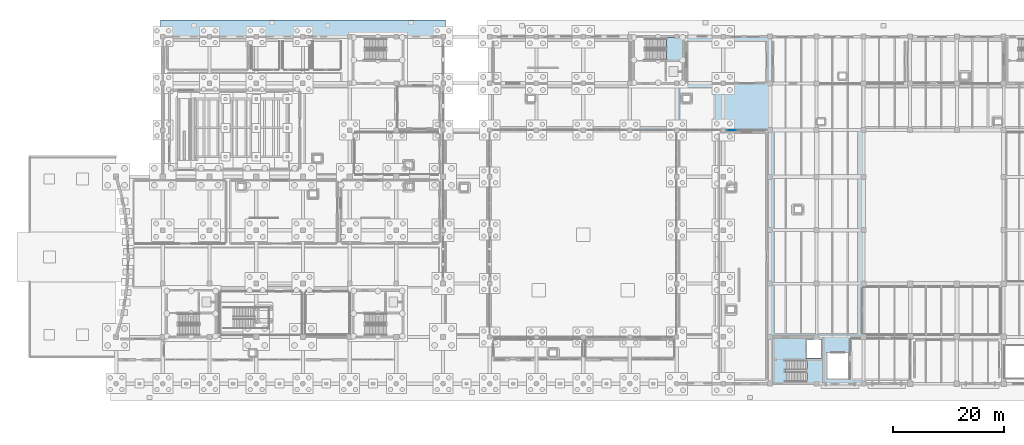
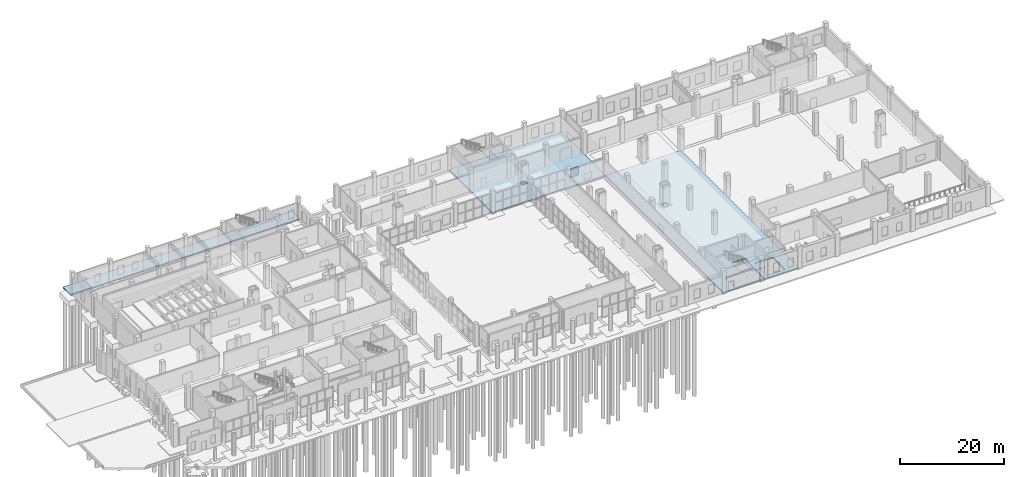
# One storey, part 35 of 65: 5 slabs, 1 plate, 3 elements without a shape of their own.
"""IFC4 building model written with IfcOpenShell, lengths in metres."""

from ifc_helpers import new_model, si_unit, direction, frame, origin, origin_2d, place, context, subcontext, project, spatial, polyline, rectangle, outline, extrude, material, layer, layer_set, type_object, element, aggregate, save


model = new_model("IFC4")

# Units and contexts
model_context = context("Model", 3, precision=1e-05, world=origin(), true_north=direction((0.0, 1.0)))
body_context = subcontext(model_context, "Body", "Model", "MODEL_VIEW")
ifc_project = project(units=[si_unit("LENGTHUNIT", "METRE"), si_unit("AREAUNIT", "SQUARE_METRE"), si_unit("VOLUMEUNIT", "CUBIC_METRE"), si_unit("PLANEANGLEUNIT", "RADIAN"), si_unit("MASSUNIT", "GRAM", prefix="KILO")], contexts=[model_context])

# Site, building, storey
site_placement = place(None, origin())
site = spatial("IfcSite", under=ifc_project, at=site_placement, CompositionType="ELEMENT")
building_placement = place(site_placement, origin())
building = spatial("IfcBuilding", under=site, at=building_placement, Name="Zulmaris Art Gallery", CompositionType="ELEMENT")
storey_placement = place(building_placement, origin())
storey = spatial("IfcBuildingStorey", under=building, at=storey_placement, Name="L00", CompositionType="ELEMENT", Elevation=0.0)

# Curtain wall, plate
ifc_material_1 = material(Name="Unitised Low-E Gallery Curtain Wall", Category="aluminium")
ifc_layer_1 = layer(ifc_material_1, 0.179931640625)
ifc_layer_set_1 = layer_set([ifc_layer_1], Name="Unitised Low-E Gallery Curtain Wall")
curtain_wall_type = type_object("IfcCurtainWallType", Name="CW-CW01", PredefinedType="NOTDEFINED", material=ifc_layer_set_1)
curtain_wall_placement = place(storey_placement, origin())
curtain_wall = element("IfcCurtainWall", 1, at=curtain_wall_placement, inside=storey, type_object=curtain_wall_type, Name="L00 curtain wall 89", PredefinedType="NOTDEFINED")
ifc_material_2 = material(Name="Triple Solar-Control Laminated Glass", Category="glass")
ifc_layer_2 = layer(ifc_material_2, 0.035888671875)
ifc_layer_set_2 = layer_set([ifc_layer_2], Name="Triple Solar-Control Laminated Glass")
plate_type = type_object("IfcPlateType", Name="CWPAN-GLZ", PredefinedType="CURTAIN_PANEL", material=ifc_layer_set_2)
plate_placement = place(storey_placement, frame((134.673828125, 58.800048828125, 2.1826171875), z_axis=(0.0, 0.0, 1.0), x_axis=(1.0, 0.0, 0.0)))
plate = element("IfcPlate", 2, at=plate_placement, type_object=plate_type, Name="CW01 panel 1.2", PredefinedType="CURTAIN_PANEL", context=body_context, shape_type="SweptSolid", body=[
    extrude(rectangle(XDim=1.717529296875, YDim=0.031982421875, at=origin_2d()), origin(), (0.0, 0.0, 1.0), 2.032470703125),
])
aggregate(curtain_wall, [plate])

# Slabs
ifc_material_3 = material(Name="Concrete C40/50", Category="concrete")
ifc_layer_3 = layer(ifc_material_3, 0.360107421875)
ifc_layer_set_3 = layer_set([ifc_layer_3], Name="Concrete C40/50")
slab_type_1 = type_object("IfcSlabType", Name="SLAB-SL-BS02", PredefinedType="BASESLAB", material=ifc_layer_set_3)
slab_1_placement = place(storey_placement, frame((0.0, 0.0, -0.360107421875)))
element("IfcSlab", 3, at=slab_1_placement, inside=storey, type_object=slab_type_1, Name="L00 V4-NE slab", PredefinedType="BASESLAB", context=body_context, shape_type="SweptSolid", body=[
    extrude(outline(polyline([(116.39990234375, 58.800048828125), (116.39990234375, 75.60009765625), (141.60009765625, 75.60009765625), (141.60009765625, 58.800048828125), (116.39990234375, 58.800048828125)]), holes=[polyline([(127.199951171875, 64.0), (127.199951171875, 65.0), (126.0, 65.0), (126.0, 64.0), (127.199951171875, 64.0)])]), origin(), (0.0, 0.0, 1.0), 0.360107421875),
])
ifc_layer_4 = layer(ifc_material_3, 0.300048828125)
ifc_layer_set_4 = layer_set([ifc_layer_4], Name="Concrete C40/50")
slab_type_2 = type_object("IfcSlabType", Name="SLAB-SL-CAN01", PredefinedType="FLOOR", material=ifc_layer_set_4)
slab_2_placement = place(storey_placement, frame((0.0, 0.0, -0.300048828125)))
element("IfcSlab", 4, at=slab_2_placement, inside=storey, type_object=slab_type_2, Name="L00 Exterior Paved Court/Apron APR-NORTH-V3", PredefinedType="FLOOR", context=body_context, shape_type="SweptSolid", body=[
    extrude(outline(polyline([(32.0, 75.64990234375), (83.199951171875, 75.64990234375), (83.199951171875, 78.60009765625), (32.0, 78.60009765625), (32.0, 75.64990234375)])), origin(), (0.0, 0.0, 1.0), 0.300048828125),
])
ifc_layer_5 = layer(ifc_material_3, 0.330078125)
ifc_layer_set_5 = layer_set([ifc_layer_5], Name="Concrete C40/50")
slab_type_3 = type_object("IfcSlabType", Name="SLAB-SL-FL01", PredefinedType="FLOOR", material=ifc_layer_set_5)
slab_3_placement = place(storey_placement, frame((0.0, 0.0, -0.330078125)))
element("IfcSlab", 5, at=slab_3_placement, inside=storey, type_object=slab_type_3, Name="L00 V5-SW slab", PredefinedType="FLOOR", context=body_context, shape_type="SweptSolid", body=[
    extrude(outline(polyline([(158.39990234375, 58.800048828125), (158.39990234375, 31.199951171875), (158.39990234375, 13.199951171875), (141.60009765625, 13.199951171875), (141.60009765625, 58.800048828125), (158.39990234375, 58.800048828125)]), holes=[polyline([(150.85009765625, 13.550048828125), (150.85009765625, 17.389892578125), (144.4599609375, 17.389892578125), (144.4599609375, 13.550048828125), (150.85009765625, 13.550048828125)]), polyline([(155.800048828125, 14.0), (155.800048828125, 18.800048828125), (151.800048828125, 18.800048828125), (151.800048828125, 14.0), (155.800048828125, 14.0)]), polyline([(150.85009765625, 21.14990234375), (148.050048828125, 21.14990234375), (148.050048828125, 17.820068359375), (150.85009765625, 17.820068359375), (150.85009765625, 21.14990234375)]), polyline([(147.199951171875, 44.0), (147.199951171875, 45.0), (146.0, 45.0), (146.0, 44.0), (147.199951171875, 44.0)])]), origin(), (0.0, 0.0, 1.0), 0.330078125),
])

# Stair, slab
stair_type = type_object("IfcStairType", Name="STAIR-CORE", PredefinedType="HALF_TURN_STAIR", material=ifc_material_3)
stair_1_placement = place(storey_placement, origin())
stair_1 = element("IfcStair", 6, at=stair_1_placement, inside=storey, type_object=stair_type, Name="L00 Exit Stair ST3", PredefinedType="HALF_TURN_STAIR")
ifc_layer_6 = layer(ifc_material_3, 0.2099609375)
ifc_layer_set_6 = layer_set([ifc_layer_6], Name="Concrete C40/50")
slab_type_4 = type_object("IfcSlabType", Name="SLAB-STLND", PredefinedType="LANDING", material=ifc_layer_set_6)
slab_4_placement = place(storey_placement, frame((0.0, 0.0, 2.5)))
slab_4 = element("IfcSlab", 7, at=slab_4_placement, type_object=slab_type_4, Name="ST3 landing 1", PredefinedType="LANDING", context=body_context, shape_type="SweptSolid", body=[
    extrude(outline(polyline([(148.219970703125, 13.330078125), (151.050048828125, 13.330078125), (151.050048828125, 17.610107421875), (148.219970703125, 17.610107421875), (148.219970703125, 13.330078125)])), origin(), (0.0, 0.0, 1.0), 0.199951171875),
])
aggregate(stair_1, [slab_4])

stair_2_placement = place(storey_placement, origin())
stair_2 = element("IfcStair", 8, at=stair_2_placement, inside=storey, type_object=stair_type, Name="L00 Exit Stair ST5", PredefinedType="HALF_TURN_STAIR")
slab_5_placement = place(storey_placement, frame((0.0, 0.0, 2.5)))
slab_5 = element("IfcSlab", 9, at=slab_5_placement, type_object=slab_type_4, Name="ST5 landing 1", PredefinedType="LANDING", context=body_context, shape_type="SweptSolid", body=[
    extrude(outline(polyline([(123.02001953125, 71.18994140625), (125.85009765625, 71.18994140625), (125.85009765625, 75.469970703125), (123.02001953125, 75.469970703125), (123.02001953125, 71.18994140625)])), origin(), (0.0, 0.0, 1.0), 0.199951171875),
])
aggregate(stair_2, [slab_5])

save(model, "model.ifc")
